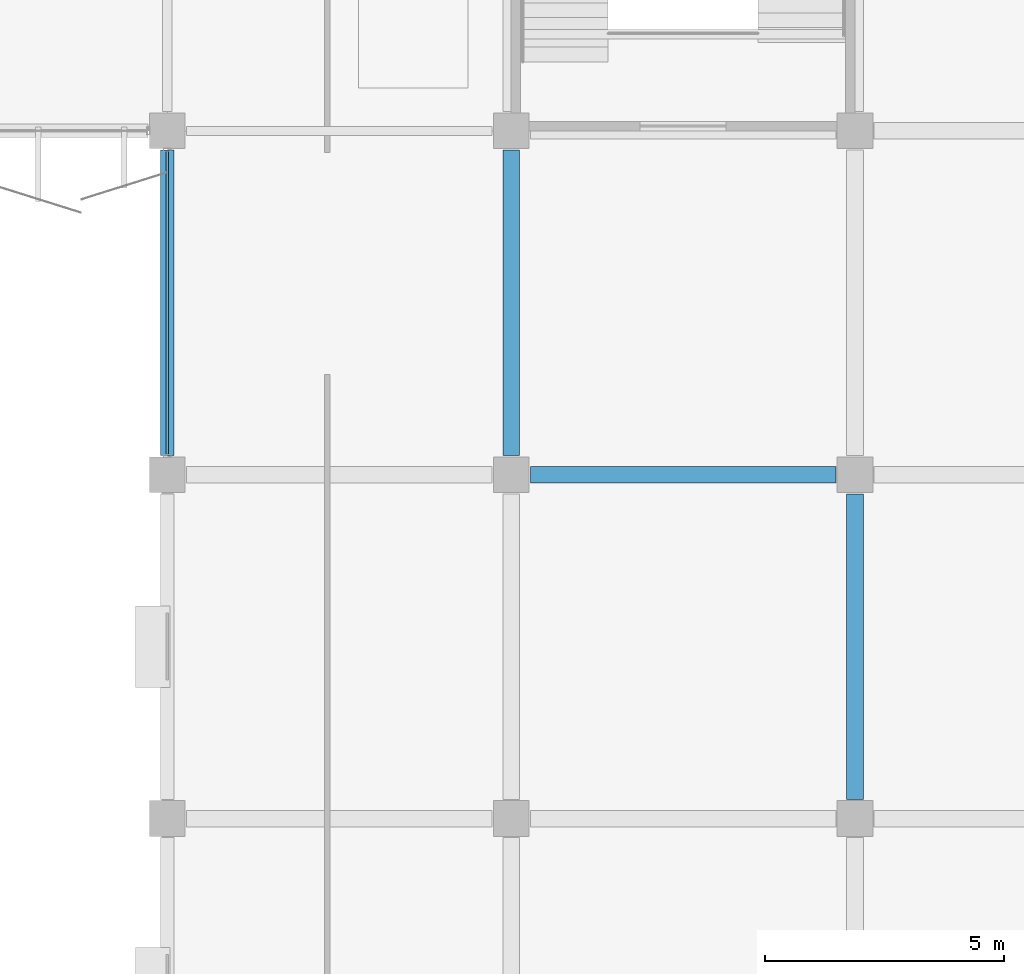
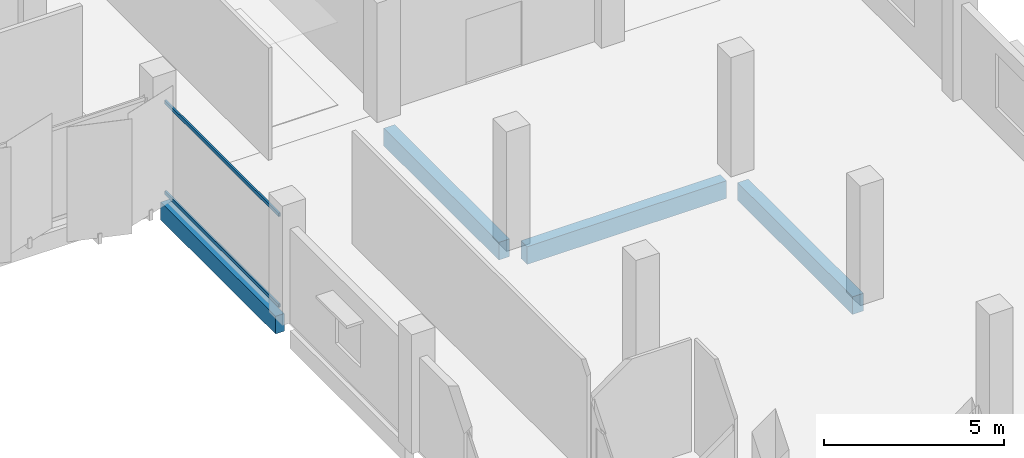
# One storey, part 54 of 108: 4 beams, 2 members, 1 element without a shape of its own.
"""IFC4 building model written with IfcOpenShell, lengths in metres."""

from ifc_helpers import new_model, si_unit, direction, frame, origin, origin_2d, place, context, subcontext, project, spatial, rectangle, hollow_rectangle, extrude, material, layer, layer_set, material_profile, profile_set, type_object, element, aggregate, save


model = new_model("IFC4")

# Units and contexts
model_context = context("Model", 3, precision=1e-05, world=origin(), true_north=direction((0.0, 1.0)))
body_context = subcontext(model_context, "Body", "Model", "MODEL_VIEW")
ifc_project = project(units=[si_unit("LENGTHUNIT", "METRE"), si_unit("AREAUNIT", "SQUARE_METRE"), si_unit("VOLUMEUNIT", "CUBIC_METRE"), si_unit("PLANEANGLEUNIT", "RADIAN"), si_unit("MASSUNIT", "GRAM", prefix="KILO")], contexts=[model_context])

# Site, building, storey
site_placement = place(None, origin())
site = spatial("IfcSite", under=ifc_project, at=site_placement, CompositionType="ELEMENT")
building_placement = place(site_placement, origin())
building = spatial("IfcBuilding", under=site, at=building_placement, Name="Kangsadwip Square Police Headquarters", CompositionType="ELEMENT")
storey_placement = place(building_placement, frame((0.0, 0.0, 9.449951171875)))
storey = spatial("IfcBuildingStorey", under=building, at=storey_placement, Name="L02", CompositionType="ELEMENT", Elevation=9.449951171875)

# Curtain wall, members
ifc_material_1 = material(Name="Thermally broken anodised aluminium AW-6063-T6", Category="aluminium")
ifc_layer = layer(ifc_material_1, 0.159912109375)
ifc_layer_set = layer_set([ifc_layer], Name="Thermally broken anodised aluminium AW-6063-T6")
curtain_wall_type = type_object("IfcCurtainWallType", Name="CourtScreen6460x3200", PredefinedType="USERDEFINED", material=ifc_layer_set)
curtain_wall_placement = place(storey_placement, origin())
curtain_wall = element("IfcCurtainWall", 1, at=curtain_wall_placement, inside=storey, type_object=curtain_wall_type, Name="Curtain Wall CW-L02-1440-0868", ObjectType="GLAZED_SCREEN", PredefinedType="USERDEFINED")
ifc_material_2 = material(Name="Thermally broken anodised aluminium AW-6063-T6", Category="aluminium")
ifc_material_profile_1 = material_profile(ifc_material_2, hollow_rectangle(XDim=0.06005859375, YDim=0.1201171875, WallThickness=0.00390625, at=origin_2d()), Name="CWT 120X60X4")
ifc_profile_set_1 = profile_set([ifc_material_profile_1], Name="Thermally broken anodised aluminium AW-6063-T6")
member_type = type_object("IfcMemberType", Name="CwTransom120x55", PredefinedType="USERDEFINED", material=ifc_profile_set_1)
member_1_placement = place(storey_placement, frame((144.0, 86.830078125, 0.06005859375), z_axis=(0.0, 1.0, 0.0), x_axis=(-1.0, 0.0, 0.0)))
member_1 = element("IfcMember", 2, at=member_1_placement, type_object=member_type, Name="CW-16 transom 1.1", ObjectType="TRANSOM", PredefinedType="USERDEFINED", context=body_context, shape_type="SweptSolid", body=[
    extrude(hollow_rectangle(XDim=0.06005859375, YDim=0.1201171875, WallThickness=0.00390625, at=origin_2d()), origin(), (0.0, 0.0, 1.0), 6.33984375),
])
member_2_placement = place(storey_placement, frame((144.0, 86.830078125, 3.14013671875), z_axis=(0.0, 1.0, 0.0), x_axis=(-1.0, 0.0, 0.0)))
member_2 = element("IfcMember", 3, at=member_2_placement, type_object=member_type, Name="CW-16 transom 1.2", ObjectType="TRANSOM", PredefinedType="USERDEFINED", context=body_context, shape_type="SweptSolid", body=[
    extrude(hollow_rectangle(XDim=0.06005859375, YDim=0.1201171875, WallThickness=0.00390625, at=origin_2d()), origin(), (0.0, 0.0, 1.0), 6.33984375),
])
aggregate(curtain_wall, [member_1, member_2])

# Beams
ifc_material_3 = material(Name="Concrete M35 (35 MPa)", Category="concrete")
ifc_material_profile_2 = material_profile(ifc_material_3, rectangle(XDim=0.35009765625, YDim=0.60009765625, at=origin_2d()), Name="RC BM 600X350")
ifc_profile_set_2 = profile_set([ifc_material_profile_2], Name="Concrete M35 (35 MPa)")
beam_type_1 = type_object("IfcBeamType", Name="RcBeam600x350", PredefinedType="BEAM", material=ifc_profile_set_2)
for number, where, z_axis, x_axis, name in (
    (4, (151.60009765625, 86.39990234375, -0.5400390625), (1.0, 0.0, 0.0), (0.0, 1.0, 0.0), "Beam BM-L02-X-21-12"),
    (5, (151.199951171875, 86.800048828125, -0.5400390625), (0.0, 1.0, 0.0), (-1.0, 0.0, 0.0), "Beam BM-L02-Y-21-12"),
    (6, (158.39990234375, 79.60009765625, -0.5400390625), (0.0, 1.0, 0.0), (-1.0, 0.0, 0.0), "Beam BM-L02-Y-22-11"),
):
    element("IfcBeam", number, at=place(storey_placement, frame(where, z_axis=z_axis, x_axis=x_axis)), inside=storey, type_object=beam_type_1, Name=name, PredefinedType="BEAM", context=body_context, shape_type="SweptSolid", body=[
        extrude(rectangle(XDim=0.35009765625, YDim=0.60009765625, at=origin_2d()), origin(), (0.0, 0.0, 1.0), 6.39990234375),
    ])
ifc_material_4 = material(Name="Concrete M40 (40 MPa)", Category="concrete")
ifc_material_profile_3 = material_profile(ifc_material_4, rectangle(XDim=0.280029296875, YDim=0.60009765625, at=origin_2d()), Name="RC SPN 600X280")
ifc_profile_set_3 = profile_set([ifc_material_profile_3], Name="Concrete M40 (40 MPa)")
beam_type_2 = type_object("IfcBeamType", Name="RcSpandrel600x280", PredefinedType="SPANDREL", material=ifc_profile_set_3)
beam_placement = place(storey_placement, frame((144.0, 86.800048828125, -0.5400390625), z_axis=(0.0, 1.0, 0.0), x_axis=(-1.0, 0.0, 0.0)))
element("IfcBeam", 7, at=beam_placement, inside=storey, type_object=beam_type_2, Name="Beam BM-L02-Y-20-12", PredefinedType="SPANDREL", context=body_context, shape_type="SweptSolid", body=[
    extrude(rectangle(XDim=0.280029296875, YDim=0.60009765625, at=origin_2d()), origin(), (0.0, 0.0, 1.0), 6.39990234375),
])

save(model, "model.ifc")
